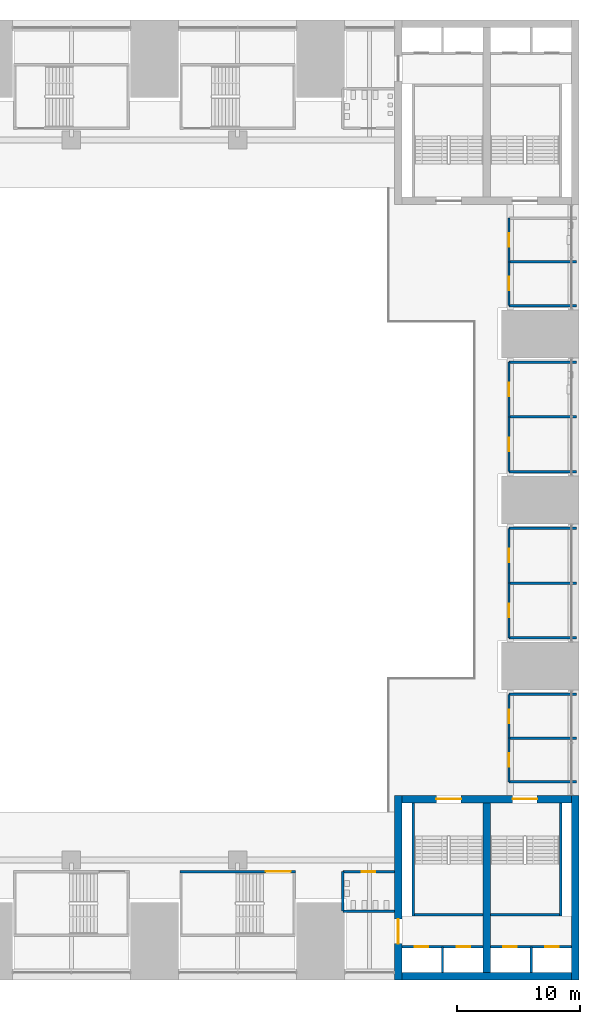
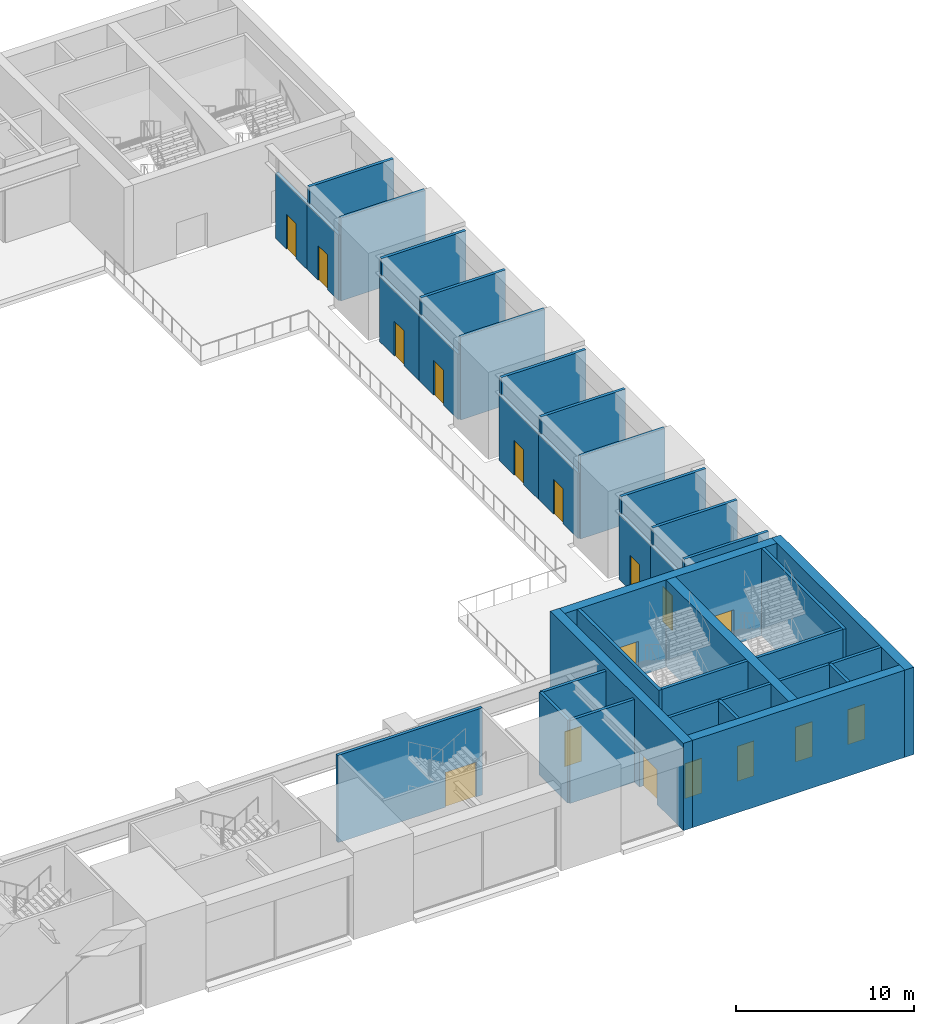
# One storey, part 15 of 41: 36 walls, 17 doors, 17 openings.
"""IFC4 building model written with IfcOpenShell, lengths in metres."""

from ifc_helpers import new_model, si_unit, direction, frame, frame_2d, origin, place, context, subcontext, project, spatial, rectangle, extrude, material, layer, layer_set, type_object, element, fill, save


model = new_model("IFC4")

# Units and contexts
model_context = context("Model", 3, precision=1e-05, world=origin(), true_north=direction((0.0, 1.0)))
body_context = subcontext(model_context, "Body", "Model", "MODEL_VIEW")
ifc_project = project(units=[si_unit("LENGTHUNIT", "METRE"), si_unit("AREAUNIT", "SQUARE_METRE"), si_unit("VOLUMEUNIT", "CUBIC_METRE"), si_unit("PLANEANGLEUNIT", "RADIAN"), si_unit("MASSUNIT", "GRAM", prefix="KILO")], contexts=[model_context])

# Site, building, storey
site_placement = place(None, origin())
site = spatial("IfcSite", under=ifc_project, at=site_placement, CompositionType="ELEMENT")
building_placement = place(site_placement, origin())
building = spatial("IfcBuilding", under=site, at=building_placement, Name="Corbelhall Arena Tower", CompositionType="ELEMENT")
storey_placement = place(building_placement, frame((0.0, 0.0, 19.0)))
storey = spatial("IfcBuildingStorey", under=building, at=storey_placement, Name="L02", CompositionType="ELEMENT", Elevation=19.0)

# Walls
ifc_material_1 = material(Name="Gypsum board on steel studs", Category="steel")
ifc_layer_1 = layer(ifc_material_1, 0.199951171875)
ifc_layer_set_1 = layer_set([ifc_layer_1], Name="AR-ROOM-WALL")
wall_type_1 = type_object("IfcWallType", Name="AR-ROOM-WALL", PredefinedType="PARTITIONING", material=ifc_layer_set_1)
for number, where, z_axis, x_axis, name in (
    (1, (42.300048828125, 2.300048828125, 0.0), (0.0, 0.0, 1.0), (1.0, 0.0, 0.0), "Concession bar 1 end wall"),
    (2, (42.300048828125, 6.75, 0.0), (0.0, 0.0, 1.0), (1.0, 0.0, 0.0), "Concession bar 1 partition"),
    (3, (42.300048828125, 11.199951171875, 0.0), (0.0, 0.0, 1.0), (1.0, 0.0, 0.0), "Accessible WC 1 end wall"),
    (4, (42.300048828125, -11.199951171875, 0.0), (0.0, 0.0, 1.0), (1.0, 0.0, 0.0), "Concession bar 2 end wall"),
    (5, (42.300048828125, -6.75, 0.0), (0.0, 0.0, 1.0), (1.0, 0.0, 0.0), "Concession bar 2 partition"),
    (6, (42.300048828125, -2.300048828125, 0.0), (0.0, 0.0, 1.0), (1.0, 0.0, 0.0), "Concession bar 3 end wall"),
    (7, (42.300048828125, 15.800048828125, 0.0), (0.0, 0.0, 1.0), (1.0, 0.0, 0.0), "Concession bar 4 end wall"),
    (8, (42.300048828125, 19.35009765625, 0.0), (0.0, 0.0, 1.0), (1.0, 0.0, 0.0), "Concession bar 4 partition"),
    (9, (42.300048828125, -22.89990234375, 0.0), (0.0, 0.0, 1.0), (1.0, 0.0, 0.0), "Concession bar 5 end wall"),
    (10, (42.300048828125, -19.35009765625, 0.0), (0.0, 0.0, 1.0), (1.0, 0.0, 0.0), "Concession bar 5 partition"),
    (11, (42.300048828125, -15.800048828125, 0.0), (0.0, 0.0, 1.0), (1.0, 0.0, 0.0), "Concession bar 6 end wall"),
):
    element("IfcWall", number, at=place(storey_placement, frame(where, z_axis=z_axis, x_axis=x_axis)), inside=storey, type_object=wall_type_1, Name=name, PredefinedType="PARTITIONING", context=body_context, shape_type="SweptSolid", body=[
        extrude(rectangle(XDim=5.5, YDim=0.199951171875, at=frame_2d((2.75, 0.0))), origin(), (0.0, 0.0, 1.0), 5.699951171875),
    ])

# Wall, opening, door
wall_1_placement = place(storey_placement, frame((28.800048828125, -30.199951171875, 0.0), z_axis=(0.0, 0.0, 1.0), x_axis=(1.0, 0.0, 0.0)))
wall_1 = element("IfcWall", 12, at=wall_1_placement, inside=storey, type_object=wall_type_1, Name="Women's WC 3 wall", PredefinedType="PARTITIONING", context=body_context, shape_type="SweptSolid", body=[
    extrude(rectangle(XDim=4.199951171875, YDim=0.199951171875, at=frame_2d((2.10009765625, 0.0))), origin(), (0.0, 0.0, 1.0), 5.699951171875),
])
opening_1_placement = place(wall_1_placement, frame((1.550048828125, 0.0, 0.0)))
opening_1 = element("IfcOpeningElement", 13, at=opening_1_placement, cuts=wall_1, Name="Opening DA0381", PredefinedType="OPENING", context=body_context, shape_type="SweptSolid", body=[
    extrude(rectangle(XDim=1.10009765625, YDim=2.39990234375, at=frame_2d((0.550048828125, 1.199951171875))), frame((0.0, 0.10009765625, 0.0), z_axis=(0.0, -1.0, 0.0), x_axis=(1.0, 0.0, 0.0)), (0.0, 0.0, 1.0), 0.199951171875),
])
ifc_material_2 = material(Name="Timber", Category="wood")
door_type_1 = type_object("IfcDoorType", Name="AR-ROOM-DOOR", OperationType="DOUBLE_DOOR_SINGLE_SWING", PredefinedType="DOOR", material=ifc_material_2)
door_1_placement = place(opening_1_placement, origin())
door_1 = element("IfcDoor", 14, at=door_1_placement, inside=storey, type_object=door_type_1, Name="Women's WC 3 door", OperationType="DOUBLE_DOOR_SINGLE_SWING", OverallHeight=2.39990234375, OverallWidth=1.10009765625, PredefinedType="DOOR", context=body_context, shape_type="SweptSolid", body=[
    extrude(rectangle(XDim=1.10009765625, YDim=2.39990234375, at=frame_2d((0.550048828125, 1.199951171875))), frame((0.0, 0.02490234375, 0.0), z_axis=(0.0, -1.0, 0.0), x_axis=(1.0, 0.0, 0.0)), (0.0, 0.0, 1.0), 0.050048828125),
])
fill(opening_1, door_1)

# Walls
wall_2_placement = place(storey_placement, frame((28.800048828125, -33.39990234375, 0.0), z_axis=(0.0, 0.0, 1.0), x_axis=(0.0, 1.0, 0.0)))
element("IfcWall", 15, at=wall_2_placement, inside=storey, type_object=wall_type_1, Name="Women's WC 3 side wall", PredefinedType="PARTITIONING", context=body_context, shape_type="SweptSolid", body=[
    extrude(rectangle(XDim=3.199951171875, YDim=0.199951171875, at=frame_2d((1.60009765625, 0.0))), origin(), (0.0, 0.0, 1.0), 5.699951171875),
])
wall_3_placement = place(storey_placement, frame((28.800048828125, -33.39990234375, 0.0), z_axis=(0.0, 0.0, 1.0), x_axis=(1.0, 0.0, 0.0)))
element("IfcWall", 16, at=wall_3_placement, inside=storey, type_object=wall_type_1, Name="Women's WC 3 far wall", PredefinedType="PARTITIONING", context=body_context, shape_type="SweptSolid", body=[
    extrude(rectangle(XDim=4.199951171875, YDim=0.199951171875, at=frame_2d((2.10009765625, 0.0))), origin(), (0.0, 0.0, 1.0), 5.699951171875),
])

# Wall, opening, door
ifc_layer_2 = layer(ifc_material_1, 0.199951171875)
ifc_layer_set_2 = layer_set([ifc_layer_2], Name="AR-ROOM-WALL under beam 1200 mm")
wall_type_2 = type_object("IfcWallType", Name="AR-ROOM-WALL under beam 1200 mm", PredefinedType="PARTITIONING", material=ifc_layer_set_2)
wall_4_placement = place(storey_placement, frame((42.300048828125, 2.300048828125, 0.0), z_axis=(0.0, 0.0, 1.0), x_axis=(0.0, 1.0, 0.0)))
wall_4 = element("IfcWall", 17, at=wall_4_placement, inside=storey, type_object=wall_type_2, Name="Concession bar 1 wall", PredefinedType="PARTITIONING", context=body_context, shape_type="SweptSolid", body=[
    extrude(rectangle(XDim=4.449951171875, YDim=0.199951171875, at=frame_2d((2.22509765625, 0.0))), origin(), (0.0, 0.0, 1.0), 4.5),
])
opening_2_placement = place(wall_4_placement, frame((1.675048828125, 0.0, 0.0)))
opening_2 = element("IfcOpeningElement", 18, at=opening_2_placement, cuts=wall_4, Name="Opening DA0363", PredefinedType="OPENING", context=body_context, shape_type="SweptSolid", body=[
    extrude(rectangle(XDim=1.10009765625, YDim=2.39990234375, at=frame_2d((0.550048828125, 1.199951171875))), frame((0.0, 0.10009765625, 0.0), z_axis=(0.0, -1.0, 0.0), x_axis=(1.0, 0.0, 0.0)), (0.0, 0.0, 1.0), 0.199951171875),
])
door_2_placement = place(opening_2_placement, origin())
door_2 = element("IfcDoor", 19, at=door_2_placement, inside=storey, type_object=door_type_1, Name="Concession bar 1 door", OperationType="DOUBLE_DOOR_SINGLE_SWING", OverallHeight=2.39990234375, OverallWidth=1.10009765625, PredefinedType="DOOR", context=body_context, shape_type="SweptSolid", body=[
    extrude(rectangle(XDim=1.10009765625, YDim=2.39990234375, at=frame_2d((0.550048828125, 1.199951171875))), frame((0.0, 0.02490234375, 0.0), z_axis=(0.0, -1.0, 0.0), x_axis=(1.0, 0.0, 0.0)), (0.0, 0.0, 1.0), 0.050048828125),
])
fill(opening_2, door_2)

wall_5_placement = place(storey_placement, frame((42.300048828125, 6.75, 0.0), z_axis=(0.0, 0.0, 1.0), x_axis=(0.0, 1.0, 0.0)))
wall_5 = element("IfcWall", 20, at=wall_5_placement, inside=storey, type_object=wall_type_2, Name="Accessible WC 1 wall", PredefinedType="PARTITIONING", context=body_context, shape_type="SweptSolid", body=[
    extrude(rectangle(XDim=4.449951171875, YDim=0.199951171875, at=frame_2d((2.22509765625, 0.0))), origin(), (0.0, 0.0, 1.0), 4.5),
])
opening_3_placement = place(wall_5_placement, frame((1.675048828125, 0.0, 0.0)))
opening_3 = element("IfcOpeningElement", 21, at=opening_3_placement, cuts=wall_5, Name="Opening DA0364", PredefinedType="OPENING", context=body_context, shape_type="SweptSolid", body=[
    extrude(rectangle(XDim=1.10009765625, YDim=2.39990234375, at=frame_2d((0.550048828125, 1.199951171875))), frame((0.0, 0.10009765625, 0.0), z_axis=(0.0, -1.0, 0.0), x_axis=(1.0, 0.0, 0.0)), (0.0, 0.0, 1.0), 0.199951171875),
])
door_3_placement = place(opening_3_placement, origin())
door_3 = element("IfcDoor", 22, at=door_3_placement, inside=storey, type_object=door_type_1, Name="Accessible WC 1 door", OperationType="DOUBLE_DOOR_SINGLE_SWING", OverallHeight=2.39990234375, OverallWidth=1.10009765625, PredefinedType="DOOR", context=body_context, shape_type="SweptSolid", body=[
    extrude(rectangle(XDim=1.10009765625, YDim=2.39990234375, at=frame_2d((0.550048828125, 1.199951171875))), frame((0.0, 0.02490234375, 0.0), z_axis=(0.0, -1.0, 0.0), x_axis=(1.0, 0.0, 0.0)), (0.0, 0.0, 1.0), 0.050048828125),
])
fill(opening_3, door_3)

wall_6_placement = place(storey_placement, frame((42.300048828125, -11.199951171875, 0.0), z_axis=(0.0, 0.0, 1.0), x_axis=(0.0, 1.0, 0.0)))
wall_6 = element("IfcWall", 23, at=wall_6_placement, inside=storey, type_object=wall_type_2, Name="Concession bar 2 wall", PredefinedType="PARTITIONING", context=body_context, shape_type="SweptSolid", body=[
    extrude(rectangle(XDim=4.449951171875, YDim=0.199951171875, at=frame_2d((2.22509765625, 0.0))), origin(), (0.0, 0.0, 1.0), 4.5),
])
opening_4_placement = place(wall_6_placement, frame((1.675048828125, 0.0, 0.0)))
opening_4 = element("IfcOpeningElement", 24, at=opening_4_placement, cuts=wall_6, Name="Opening DA0365", PredefinedType="OPENING", context=body_context, shape_type="SweptSolid", body=[
    extrude(rectangle(XDim=1.10009765625, YDim=2.39990234375, at=frame_2d((0.550048828125, 1.199951171875))), frame((0.0, 0.10009765625, 0.0), z_axis=(0.0, -1.0, 0.0), x_axis=(1.0, 0.0, 0.0)), (0.0, 0.0, 1.0), 0.199951171875),
])
door_4_placement = place(opening_4_placement, origin())
door_4 = element("IfcDoor", 25, at=door_4_placement, inside=storey, type_object=door_type_1, Name="Concession bar 2 door", OperationType="DOUBLE_DOOR_SINGLE_SWING", OverallHeight=2.39990234375, OverallWidth=1.10009765625, PredefinedType="DOOR", context=body_context, shape_type="SweptSolid", body=[
    extrude(rectangle(XDim=1.10009765625, YDim=2.39990234375, at=frame_2d((0.550048828125, 1.199951171875))), frame((0.0, 0.02490234375, 0.0), z_axis=(0.0, -1.0, 0.0), x_axis=(1.0, 0.0, 0.0)), (0.0, 0.0, 1.0), 0.050048828125),
])
fill(opening_4, door_4)

wall_7_placement = place(storey_placement, frame((42.300048828125, -6.75, 0.0), z_axis=(0.0, 0.0, 1.0), x_axis=(0.0, 1.0, 0.0)))
wall_7 = element("IfcWall", 26, at=wall_7_placement, inside=storey, type_object=wall_type_2, Name="Concession bar 3 wall", PredefinedType="PARTITIONING", context=body_context, shape_type="SweptSolid", body=[
    extrude(rectangle(XDim=4.449951171875, YDim=0.199951171875, at=frame_2d((2.22509765625, 0.0))), origin(), (0.0, 0.0, 1.0), 4.5),
])
opening_5_placement = place(wall_7_placement, frame((1.675048828125, 0.0, 0.0)))
opening_5 = element("IfcOpeningElement", 27, at=opening_5_placement, cuts=wall_7, Name="Opening DA0366", PredefinedType="OPENING", context=body_context, shape_type="SweptSolid", body=[
    extrude(rectangle(XDim=1.10009765625, YDim=2.39990234375, at=frame_2d((0.550048828125, 1.199951171875))), frame((0.0, 0.10009765625, 0.0), z_axis=(0.0, -1.0, 0.0), x_axis=(1.0, 0.0, 0.0)), (0.0, 0.0, 1.0), 0.199951171875),
])
door_5_placement = place(opening_5_placement, origin())
door_5 = element("IfcDoor", 28, at=door_5_placement, inside=storey, type_object=door_type_1, Name="Concession bar 3 door", OperationType="DOUBLE_DOOR_SINGLE_SWING", OverallHeight=2.39990234375, OverallWidth=1.10009765625, PredefinedType="DOOR", context=body_context, shape_type="SweptSolid", body=[
    extrude(rectangle(XDim=1.10009765625, YDim=2.39990234375, at=frame_2d((0.550048828125, 1.199951171875))), frame((0.0, 0.02490234375, 0.0), z_axis=(0.0, -1.0, 0.0), x_axis=(1.0, 0.0, 0.0)), (0.0, 0.0, 1.0), 0.050048828125),
])
fill(opening_5, door_5)

wall_8_placement = place(storey_placement, frame((42.300048828125, 15.800048828125, 0.0), z_axis=(0.0, 0.0, 1.0), x_axis=(0.0, 1.0, 0.0)))
wall_8 = element("IfcWall", 29, at=wall_8_placement, inside=storey, type_object=wall_type_2, Name="Concession bar 4 wall", PredefinedType="PARTITIONING", context=body_context, shape_type="SweptSolid", body=[
    extrude(rectangle(XDim=3.550048828125, YDim=0.199951171875, at=frame_2d((1.77490234375, 0.0))), origin(), (0.0, 0.0, 1.0), 4.5),
])
opening_6_placement = place(wall_8_placement, frame((1.22509765625, 0.0, 0.0)))
opening_6 = element("IfcOpeningElement", 30, at=opening_6_placement, cuts=wall_8, Name="Opening DA0367", PredefinedType="OPENING", context=body_context, shape_type="SweptSolid", body=[
    extrude(rectangle(XDim=1.10009765625, YDim=2.39990234375, at=frame_2d((0.550048828125, 1.199951171875))), frame((0.0, 0.10009765625, 0.0), z_axis=(0.0, -1.0, 0.0), x_axis=(1.0, 0.0, 0.0)), (0.0, 0.0, 1.0), 0.199951171875),
])
door_6_placement = place(opening_6_placement, origin())
door_6 = element("IfcDoor", 31, at=door_6_placement, inside=storey, type_object=door_type_1, Name="Concession bar 4 door", OperationType="DOUBLE_DOOR_SINGLE_SWING", OverallHeight=2.39990234375, OverallWidth=1.10009765625, PredefinedType="DOOR", context=body_context, shape_type="SweptSolid", body=[
    extrude(rectangle(XDim=1.10009765625, YDim=2.39990234375, at=frame_2d((0.550048828125, 1.199951171875))), frame((0.0, 0.02490234375, 0.0), z_axis=(0.0, -1.0, 0.0), x_axis=(1.0, 0.0, 0.0)), (0.0, 0.0, 1.0), 0.050048828125),
])
fill(opening_6, door_6)

wall_9_placement = place(storey_placement, frame((42.300048828125, 19.35009765625, 0.0), z_axis=(0.0, 0.0, 1.0), x_axis=(0.0, 1.0, 0.0)))
wall_9 = element("IfcWall", 32, at=wall_9_placement, inside=storey, type_object=wall_type_2, Name="Accessible WC 2 wall", PredefinedType="PARTITIONING", context=body_context, shape_type="SweptSolid", body=[
    extrude(rectangle(XDim=3.5498046875, YDim=0.199951171875, at=frame_2d((1.77490234375, 0.0))), origin(), (0.0, 0.0, 1.0), 4.5),
])
opening_7_placement = place(wall_9_placement, frame((1.22509765625, 0.0, 0.0)))
opening_7 = element("IfcOpeningElement", 33, at=opening_7_placement, cuts=wall_9, Name="Opening DA0368", PredefinedType="OPENING", context=body_context, shape_type="SweptSolid", body=[
    extrude(rectangle(XDim=1.10009765625, YDim=2.39990234375, at=frame_2d((0.550048828125, 1.199951171875))), frame((0.0, 0.10009765625, 0.0), z_axis=(0.0, -1.0, 0.0), x_axis=(1.0, 0.0, 0.0)), (0.0, 0.0, 1.0), 0.199951171875),
])
door_7_placement = place(opening_7_placement, origin())
door_7 = element("IfcDoor", 34, at=door_7_placement, inside=storey, type_object=door_type_1, Name="Accessible WC 2 door", OperationType="DOUBLE_DOOR_SINGLE_SWING", OverallHeight=2.39990234375, OverallWidth=1.10009765625, PredefinedType="DOOR", context=body_context, shape_type="SweptSolid", body=[
    extrude(rectangle(XDim=1.10009765625, YDim=2.39990234375, at=frame_2d((0.550048828125, 1.199951171875))), frame((0.0, 0.02490234375, 0.0), z_axis=(0.0, -1.0, 0.0), x_axis=(1.0, 0.0, 0.0)), (0.0, 0.0, 1.0), 0.050048828125),
])
fill(opening_7, door_7)

wall_10_placement = place(storey_placement, frame((42.300048828125, -22.89990234375, 0.0), z_axis=(0.0, 0.0, 1.0), x_axis=(0.0, 1.0, 0.0)))
wall_10 = element("IfcWall", 35, at=wall_10_placement, inside=storey, type_object=wall_type_2, Name="Concession bar 5 wall", PredefinedType="PARTITIONING", context=body_context, shape_type="SweptSolid", body=[
    extrude(rectangle(XDim=3.5498046875, YDim=0.199951171875, at=frame_2d((1.77490234375, 0.0))), origin(), (0.0, 0.0, 1.0), 4.5),
])
opening_8_placement = place(wall_10_placement, frame((1.22509765625, 0.0, 0.0)))
opening_8 = element("IfcOpeningElement", 36, at=opening_8_placement, cuts=wall_10, Name="Opening DA0369", PredefinedType="OPENING", context=body_context, shape_type="SweptSolid", body=[
    extrude(rectangle(XDim=1.10009765625, YDim=2.39990234375, at=frame_2d((0.550048828125, 1.199951171875))), frame((0.0, 0.10009765625, 0.0), z_axis=(0.0, -1.0, 0.0), x_axis=(1.0, 0.0, 0.0)), (0.0, 0.0, 1.0), 0.199951171875),
])
door_8_placement = place(opening_8_placement, origin())
door_8 = element("IfcDoor", 37, at=door_8_placement, inside=storey, type_object=door_type_1, Name="Concession bar 5 door", OperationType="DOUBLE_DOOR_SINGLE_SWING", OverallHeight=2.39990234375, OverallWidth=1.10009765625, PredefinedType="DOOR", context=body_context, shape_type="SweptSolid", body=[
    extrude(rectangle(XDim=1.10009765625, YDim=2.39990234375, at=frame_2d((0.550048828125, 1.199951171875))), frame((0.0, 0.02490234375, 0.0), z_axis=(0.0, -1.0, 0.0), x_axis=(1.0, 0.0, 0.0)), (0.0, 0.0, 1.0), 0.050048828125),
])
fill(opening_8, door_8)

wall_11_placement = place(storey_placement, frame((42.300048828125, -19.35009765625, 0.0), z_axis=(0.0, 0.0, 1.0), x_axis=(0.0, 1.0, 0.0)))
wall_11 = element("IfcWall", 38, at=wall_11_placement, inside=storey, type_object=wall_type_2, Name="Concession bar 6 wall", PredefinedType="PARTITIONING", context=body_context, shape_type="SweptSolid", body=[
    extrude(rectangle(XDim=3.550048828125, YDim=0.199951171875, at=frame_2d((1.77490234375, 0.0))), origin(), (0.0, 0.0, 1.0), 4.5),
])
opening_9_placement = place(wall_11_placement, frame((1.22509765625, 0.0, 0.0)))
opening_9 = element("IfcOpeningElement", 39, at=opening_9_placement, cuts=wall_11, Name="Opening DA0370", PredefinedType="OPENING", context=body_context, shape_type="SweptSolid", body=[
    extrude(rectangle(XDim=1.10009765625, YDim=2.39990234375, at=frame_2d((0.550048828125, 1.199951171875))), frame((0.0, 0.10009765625, 0.0), z_axis=(0.0, -1.0, 0.0), x_axis=(1.0, 0.0, 0.0)), (0.0, 0.0, 1.0), 0.199951171875),
])
door_9_placement = place(opening_9_placement, origin())
door_9 = element("IfcDoor", 40, at=door_9_placement, inside=storey, type_object=door_type_1, Name="Concession bar 6 door", OperationType="DOUBLE_DOOR_SINGLE_SWING", OverallHeight=2.39990234375, OverallWidth=1.10009765625, PredefinedType="DOOR", context=body_context, shape_type="SweptSolid", body=[
    extrude(rectangle(XDim=1.10009765625, YDim=2.39990234375, at=frame_2d((0.550048828125, 1.199951171875))), frame((0.0, 0.02490234375, 0.0), z_axis=(0.0, -1.0, 0.0), x_axis=(1.0, 0.0, 0.0)), (0.0, 0.0, 1.0), 0.050048828125),
])
fill(opening_9, door_9)

# Wall, openings, doors
ifc_material_3 = material(Name="Reinforced concrete C40/50", Category="concrete")
ifc_layer_3 = layer(ifc_material_3, 0.199951171875)
ifc_layer_set_3 = layer_set([ifc_layer_3], Name="AR-SHAFT-WALL")
wall_type_3 = type_object("IfcWallType", Name="AR-SHAFT-WALL", PredefinedType="SHEAR", material=ifc_layer_set_3)
wall_12_placement = place(storey_placement, frame((33.60009765625, -36.300048828125, 0.0), z_axis=(0.0, 0.0, 1.0), x_axis=(1.0, 0.0, 0.0)))
wall_12 = element("IfcWall", 41, at=wall_12_placement, inside=storey, type_object=wall_type_3, Name="Lift lobby wall SE", PredefinedType="SHEAR", context=body_context, shape_type="SweptSolid", body=[
    extrude(rectangle(XDim=6.599853515625, YDim=0.199951171875, at=frame_2d((3.2998046875, 0.0))), origin(), (0.0, 0.0, 1.0), 6.0),
])
opening_10_placement = place(wall_12_placement, frame((1.050048828125, 0.0, 0.0)))
opening_10 = element("IfcOpeningElement", 42, at=opening_10_placement, cuts=wall_12, Name="Opening LD0215", PredefinedType="OPENING", context=body_context, shape_type="SweptSolid", body=[
    extrude(rectangle(XDim=1.10009765625, YDim=2.39990234375, at=frame_2d((0.550048828125, 1.199951171875))), frame((0.0, 0.10009765625, 0.0), z_axis=(0.0, -1.0, 0.0), x_axis=(1.0, 0.0, 0.0)), (0.0, 0.0, 1.0), 0.199951171875),
])
opening_11_placement = place(wall_12_placement, frame((4.449951171875, 0.0, 0.0)))
opening_11 = element("IfcOpeningElement", 43, at=opening_11_placement, cuts=wall_12, Name="Opening LD0216", PredefinedType="OPENING", context=body_context, shape_type="SweptSolid", body=[
    extrude(rectangle(XDim=1.10009765625, YDim=2.39990234375, at=frame_2d((0.550048828125, 1.199951171875))), frame((0.0, 0.10009765625, 0.0), z_axis=(0.0, -1.0, 0.0), x_axis=(1.0, 0.0, 0.0)), (0.0, 0.0, 1.0), 0.199951171875),
])
ifc_material_4 = material(Name="Stainless steel A4", Category="steel")
door_type_2 = type_object("IfcDoorType", Name="AR-LANDING-DOOR", OperationType="DOUBLE_DOOR_SLIDING", PredefinedType="DOOR", material=ifc_material_4)
door_10_placement = place(opening_10_placement, frame((1.10009765625, 0.0, 0.0), z_axis=(0.0, 0.0, 1.0), x_axis=(-1.0, 0.0, 0.0)))
door_10 = element("IfcDoor", 44, at=door_10_placement, inside=storey, type_object=door_type_2, Name="Landing door SE LF1 L02", OperationType="DOUBLE_DOOR_SLIDING", OverallHeight=2.39990234375, OverallWidth=1.10009765625, PredefinedType="DOOR", context=body_context, shape_type="SweptSolid", body=[
    extrude(rectangle(XDim=1.10009765625, YDim=2.39990234375, at=frame_2d((0.550048828125, 1.199951171875))), frame((0.0, 0.02490234375, 0.0), z_axis=(0.0, -1.0, 0.0), x_axis=(1.0, 0.0, 0.0)), (0.0, 0.0, 1.0), 0.050048828125),
])
fill(opening_10, door_10)
door_11_placement = place(opening_11_placement, frame((1.10009765625, 0.0, 0.0), z_axis=(0.0, 0.0, 1.0), x_axis=(-1.0, 0.0, 0.0)))
door_11 = element("IfcDoor", 45, at=door_11_placement, inside=storey, type_object=door_type_2, Name="Landing door SE LF2 L02", OperationType="DOUBLE_DOOR_SLIDING", OverallHeight=2.39990234375, OverallWidth=1.10009765625, PredefinedType="DOOR", context=body_context, shape_type="SweptSolid", body=[
    extrude(rectangle(XDim=1.10009765625, YDim=2.39990234375, at=frame_2d((0.550048828125, 1.199951171875))), frame((0.0, 0.02490234375, 0.0), z_axis=(0.0, -1.0, 0.0), x_axis=(1.0, 0.0, 0.0)), (0.0, 0.0, 1.0), 0.050048828125),
])
fill(opening_11, door_11)

wall_13_placement = place(storey_placement, frame((40.800048828125, -36.300048828125, 0.0), z_axis=(0.0, 0.0, 1.0), x_axis=(1.0, 0.0, 0.0)))
wall_13 = element("IfcWall", 46, at=wall_13_placement, inside=storey, type_object=wall_type_3, Name="Lift lobby wall SE", PredefinedType="SHEAR", context=body_context, shape_type="SweptSolid", body=[
    extrude(rectangle(XDim=6.599853515625, YDim=0.199951171875, at=frame_2d((3.2998046875, 0.0))), origin(), (0.0, 0.0, 1.0), 6.0),
])
opening_12_placement = place(wall_13_placement, frame((1.050048828125, 0.0, 0.0)))
opening_12 = element("IfcOpeningElement", 47, at=opening_12_placement, cuts=wall_13, Name="Opening LD0217", PredefinedType="OPENING", context=body_context, shape_type="SweptSolid", body=[
    extrude(rectangle(XDim=1.10009765625, YDim=2.39990234375, at=frame_2d((0.550048828125, 1.199951171875))), frame((0.0, 0.10009765625, 0.0), z_axis=(0.0, -1.0, 0.0), x_axis=(1.0, 0.0, 0.0)), (0.0, 0.0, 1.0), 0.199951171875),
])
opening_13_placement = place(wall_13_placement, frame((4.449951171875, 0.0, 0.0)))
opening_13 = element("IfcOpeningElement", 48, at=opening_13_placement, cuts=wall_13, Name="Opening LD0218", PredefinedType="OPENING", context=body_context, shape_type="SweptSolid", body=[
    extrude(rectangle(XDim=1.10009765625, YDim=2.39990234375, at=frame_2d((0.550048828125, 1.199951171875))), frame((0.0, 0.10009765625, 0.0), z_axis=(0.0, -1.0, 0.0), x_axis=(1.0, 0.0, 0.0)), (0.0, 0.0, 1.0), 0.199951171875),
])
door_12_placement = place(opening_12_placement, frame((1.10009765625, 0.0, 0.0), z_axis=(0.0, 0.0, 1.0), x_axis=(-1.0, 0.0, 0.0)))
door_12 = element("IfcDoor", 49, at=door_12_placement, inside=storey, type_object=door_type_2, Name="Landing door SE LF3 L02", OperationType="DOUBLE_DOOR_SLIDING", OverallHeight=2.39990234375, OverallWidth=1.10009765625, PredefinedType="DOOR", context=body_context, shape_type="SweptSolid", body=[
    extrude(rectangle(XDim=1.10009765625, YDim=2.39990234375, at=frame_2d((0.550048828125, 1.199951171875))), frame((0.0, 0.02490234375, 0.0), z_axis=(0.0, -1.0, 0.0), x_axis=(1.0, 0.0, 0.0)), (0.0, 0.0, 1.0), 0.050048828125),
])
fill(opening_12, door_12)
door_13_placement = place(opening_13_placement, frame((1.10009765625, 0.0, 0.0), z_axis=(0.0, 0.0, 1.0), x_axis=(-1.0, 0.0, 0.0)))
door_13 = element("IfcDoor", 50, at=door_13_placement, inside=storey, type_object=door_type_2, Name="Landing door SE LF4 L02", OperationType="DOUBLE_DOOR_SLIDING", OverallHeight=2.39990234375, OverallWidth=1.10009765625, PredefinedType="DOOR", context=body_context, shape_type="SweptSolid", body=[
    extrude(rectangle(XDim=1.10009765625, YDim=2.39990234375, at=frame_2d((0.550048828125, 1.199951171875))), frame((0.0, 0.02490234375, 0.0), z_axis=(0.0, -1.0, 0.0), x_axis=(1.0, 0.0, 0.0)), (0.0, 0.0, 1.0), 0.050048828125),
])
fill(opening_13, door_13)

# Walls
for number, where, z_axis, x_axis, name in (
    (51, (36.89990234375, -38.39990234375, 0.0), (0.0, 0.0, 1.0), (0.0, 1.0, 0.0), "Shaft wall SE"),
    (52, (44.10009765625, -38.39990234375, 0.0), (0.0, 0.0, 1.0), (0.0, 1.0, 0.0), "Shaft wall SE"),
):
    element("IfcWall", number, at=place(storey_placement, frame(where, z_axis=z_axis, x_axis=x_axis)), inside=storey, type_object=wall_type_3, Name=name, PredefinedType="SHEAR", context=body_context, shape_type="SweptSolid", body=[
        extrude(rectangle(XDim=2.099853515625, YDim=0.199951171875, at=frame_2d((1.0498046875, 0.0))), origin(), (0.0, 0.0, 1.0), 6.0),
    ])

# Wall, opening, door
ifc_layer_4 = layer(ifc_material_3, 0.199951171875)
ifc_layer_set_4 = layer_set([ifc_layer_4], Name="AR-STAIR-WALL")
wall_type_4 = type_object("IfcWallType", Name="AR-STAIR-WALL", PredefinedType="SOLIDWALL", material=ifc_layer_set_4)
wall_14_placement = place(storey_placement, frame((24.949951171875, -30.199951171875, 0.0), z_axis=(0.0, 0.0, 1.0), x_axis=(-1.0, 0.0, 0.0)))
wall_14 = element("IfcWall", 53, at=wall_14_placement, inside=storey, type_object=wall_type_4, Name="Stair AS16 wall", PredefinedType="SOLIDWALL", context=body_context, shape_type="SweptSolid", body=[
    extrude(rectangle(XDim=9.39990234375, YDim=0.199951171875, at=frame_2d((4.699951171875, 0.0))), origin(), (0.0, 0.0, 1.0), 6.0),
])
opening_14_placement = place(wall_14_placement, frame((0.39990234375, 0.0, 0.0)))
opening_14 = element("IfcOpeningElement", 54, at=opening_14_placement, cuts=wall_14, Name="Opening DA0045", PredefinedType="OPENING", context=body_context, shape_type="SweptSolid", body=[
    extrude(rectangle(XDim=2.0, YDim=2.39990234375, at=frame_2d((1.0, 1.199951171875))), frame((0.0, 0.10009765625, 0.0), z_axis=(0.0, -1.0, 0.0), x_axis=(1.0, 0.0, 0.0)), (0.0, 0.0, 1.0), 0.199951171875),
])
ifc_material_5 = material(Name="Steel and glass", Category="steel")
door_type_3 = type_object("IfcDoorType", Name="AR-STAIR-DOOR", OperationType="DOUBLE_DOOR_SINGLE_SWING", PredefinedType="DOOR", material=ifc_material_5)
door_14_placement = place(opening_14_placement, origin())
door_14 = element("IfcDoor", 55, at=door_14_placement, inside=storey, type_object=door_type_3, Name="Stair AS16 door", OperationType="DOUBLE_DOOR_SINGLE_SWING", OverallHeight=2.39990234375, OverallWidth=2.0, PredefinedType="DOOR", context=body_context, shape_type="SweptSolid", body=[
    extrude(rectangle(XDim=2.0, YDim=2.39990234375, at=frame_2d((1.0, 1.199951171875))), frame((0.0, 0.02490234375, 0.0), z_axis=(0.0, -1.0, 0.0), x_axis=(1.0, 0.0, 0.0)), (0.0, 0.0, 1.0), 0.050048828125),
])
fill(opening_14, door_14)

# Walls
wall_15_placement = place(storey_placement, frame((34.510009765625, -33.800048828125, 0.0), z_axis=(0.0, 0.0, 1.0), x_axis=(0.0, 1.0, 0.0)))
element("IfcWall", 56, at=wall_15_placement, inside=storey, type_object=wall_type_4, Name="Stair AS5 wall", PredefinedType="SOLIDWALL", context=body_context, shape_type="SweptSolid", body=[
    extrude(rectangle(XDim=9.199951171875, YDim=0.199951171875, at=frame_2d((4.60009765625, 0.0))), origin(), (0.0, 0.0, 1.0), 6.0),
])
wall_16_placement = place(storey_placement, frame((34.610107421875, -33.699951171875, 0.0), z_axis=(0.0, 0.0, 1.0), x_axis=(1.0, 0.0, 0.0)))
element("IfcWall", 57, at=wall_16_placement, inside=storey, type_object=wall_type_4, Name="Stair AS5 wall", PredefinedType="SOLIDWALL", context=body_context, shape_type="SweptSolid", body=[
    extrude(rectangle(XDim=5.58984375, YDim=0.199951171875, at=frame_2d((2.794921875, 0.0))), origin(), (0.0, 0.0, 1.0), 6.0),
])
wall_17_placement = place(storey_placement, frame((46.489990234375, -33.800048828125, 0.0), z_axis=(0.0, 0.0, 1.0), x_axis=(0.0, 1.0, 0.0)))
element("IfcWall", 58, at=wall_17_placement, inside=storey, type_object=wall_type_4, Name="Stair AS6 wall", PredefinedType="SOLIDWALL", context=body_context, shape_type="SweptSolid", body=[
    extrude(rectangle(XDim=9.199951171875, YDim=0.199951171875, at=frame_2d((4.60009765625, 0.0))), origin(), (0.0, 0.0, 1.0), 6.0),
])
wall_18_placement = place(storey_placement, frame((40.800048828125, -33.699951171875, 0.0), z_axis=(0.0, 0.0, 1.0), x_axis=(1.0, 0.0, 0.0)))
element("IfcWall", 59, at=wall_18_placement, inside=storey, type_object=wall_type_4, Name="Stair AS6 wall", PredefinedType="SOLIDWALL", context=body_context, shape_type="SweptSolid", body=[
    extrude(rectangle(XDim=5.58984375, YDim=0.199951171875, at=frame_2d((2.794921875, 0.0))), origin(), (0.0, 0.0, 1.0), 6.0),
])

# Wall, openings, doors
ifc_material_6 = material(Name="Concrete C80/95", Category="concrete")
ifc_layer_5 = layer(ifc_material_6, 0.60009765625)
ifc_layer_set_5 = layer_set([ifc_layer_5], Name="PO-CORE-WALL")
wall_type_5 = type_object("IfcWallType", Name="PO-CORE-WALL", PredefinedType="SHEAR", material=ifc_layer_set_5)
wall_19_placement = place(storey_placement, frame((33.60009765625, -24.300048828125, 0.0), z_axis=(0.0, 0.0, 1.0), x_axis=(1.0, 0.0, 0.0)))
wall_19 = element("IfcWall", 60, at=wall_19_placement, inside=storey, type_object=wall_type_5, Name="CORE SE WALL N L02", PredefinedType="SHEAR", context=body_context, shape_type="SweptSolid", body=[
    extrude(rectangle(XDim=13.7998046875, YDim=0.60009765625, at=frame_2d((6.89990234375, 0.0))), origin(), (0.0, 0.0, 1.0), 6.0),
])
opening_15_placement = place(wall_19_placement, frame((2.804931640625, 0.0, 0.0)))
opening_15 = element("IfcOpeningElement", 61, at=opening_15_placement, cuts=wall_19, Name="Opening DA0087", PredefinedType="OPENING", context=body_context, shape_type="SweptSolid", body=[
    extrude(rectangle(XDim=2.0, YDim=2.39990234375, at=frame_2d((1.0, 1.199951171875))), frame((0.0, 0.300048828125, 0.0), z_axis=(0.0, -1.0, 0.0), x_axis=(1.0, 0.0, 0.0)), (0.0, 0.0, 1.0), 0.60009765625),
])
opening_16_placement = place(wall_19_placement, frame((8.9951171875, 0.0, 0.0)))
opening_16 = element("IfcOpeningElement", 62, at=opening_16_placement, cuts=wall_19, Name="Opening DA0095", PredefinedType="OPENING", context=body_context, shape_type="SweptSolid", body=[
    extrude(rectangle(XDim=2.0, YDim=2.39990234375, at=frame_2d((1.0, 1.199951171875))), frame((0.0, 0.300048828125, 0.0), z_axis=(0.0, -1.0, 0.0), x_axis=(1.0, 0.0, 0.0)), (0.0, 0.0, 1.0), 0.60009765625),
])
door_15_placement = place(opening_15_placement, frame((2.0, 0.0, 0.0), z_axis=(0.0, 0.0, 1.0), x_axis=(-1.0, 0.0, 0.0)))
door_15 = element("IfcDoor", 63, at=door_15_placement, inside=storey, type_object=door_type_3, Name="Stair AS5 door", OperationType="DOUBLE_DOOR_SINGLE_SWING", OverallHeight=2.39990234375, OverallWidth=2.0, PredefinedType="DOOR", context=body_context, shape_type="SweptSolid", body=[
    extrude(rectangle(XDim=2.0, YDim=2.39990234375, at=frame_2d((1.0, 1.199951171875))), frame((0.0, 0.02490234375, 0.0), z_axis=(0.0, -1.0, 0.0), x_axis=(1.0, 0.0, 0.0)), (0.0, 0.0, 1.0), 0.050048828125),
])
fill(opening_15, door_15)
door_16_placement = place(opening_16_placement, frame((2.0, 0.0, 0.0), z_axis=(0.0, 0.0, 1.0), x_axis=(-1.0, 0.0, 0.0)))
door_16 = element("IfcDoor", 64, at=door_16_placement, inside=storey, type_object=door_type_3, Name="Stair AS6 door", OperationType="DOUBLE_DOOR_SINGLE_SWING", OverallHeight=2.39990234375, OverallWidth=2.0, PredefinedType="DOOR", context=body_context, shape_type="SweptSolid", body=[
    extrude(rectangle(XDim=2.0, YDim=2.39990234375, at=frame_2d((1.0, 1.199951171875))), frame((0.0, 0.02490234375, 0.0), z_axis=(0.0, -1.0, 0.0), x_axis=(1.0, 0.0, 0.0)), (0.0, 0.0, 1.0), 0.050048828125),
])
fill(opening_16, door_16)

# Wall
wall_20_placement = place(storey_placement, frame((33.60009765625, -38.699951171875, 0.0), z_axis=(0.0, 0.0, 1.0), x_axis=(1.0, 0.0, 0.0)))
element("IfcWall", 65, at=wall_20_placement, inside=storey, type_object=wall_type_5, Name="CORE SE WALL S L02", PredefinedType="SHEAR", context=body_context, shape_type="SweptSolid", body=[
    extrude(rectangle(XDim=13.7998046875, YDim=0.60009765625, at=frame_2d((6.89990234375, 0.0))), origin(), (0.0, 0.0, 1.0), 6.0),
])

# Wall, opening, door
wall_21_placement = place(storey_placement, frame((33.300048828125, -39.0, 0.0), z_axis=(0.0, 0.0, 1.0), x_axis=(0.0, 1.0, 0.0)))
wall_21 = element("IfcWall", 66, at=wall_21_placement, inside=storey, type_object=wall_type_5, Name="CORE SE WALL W L02", PredefinedType="SHEAR", context=body_context, shape_type="SweptSolid", body=[
    extrude(rectangle(XDim=15.0, YDim=0.60009765625, at=frame_2d((7.5, 0.0))), origin(), (0.0, 0.0, 1.0), 6.0),
])
opening_17_placement = place(wall_21_placement, frame((2.949951171875, 0.0, 0.0)))
opening_17 = element("IfcOpeningElement", 67, at=opening_17_placement, cuts=wall_21, Name="Opening DA0219", PredefinedType="OPENING", context=body_context, shape_type="SweptSolid", body=[
    extrude(rectangle(XDim=2.0, YDim=2.39990234375, at=frame_2d((1.0, 1.199951171875))), frame((0.0, 0.300048828125, 0.0), z_axis=(0.0, -1.0, 0.0), x_axis=(1.0, 0.0, 0.0)), (0.0, 0.0, 1.0), 0.60009765625),
])
door_type_4 = type_object("IfcDoorType", Name="AR-CORE-DOOR", OperationType="DOUBLE_DOOR_SINGLE_SWING", PredefinedType="DOOR", material=ifc_material_5)
door_17_placement = place(opening_17_placement, origin())
door_17 = element("IfcDoor", 68, at=door_17_placement, inside=storey, type_object=door_type_4, Name="Core lobby door SE L02", OperationType="DOUBLE_DOOR_SINGLE_SWING", OverallHeight=2.39990234375, OverallWidth=2.0, PredefinedType="DOOR", context=body_context, shape_type="SweptSolid", body=[
    extrude(rectangle(XDim=2.0, YDim=2.39990234375, at=frame_2d((1.0, 1.199951171875))), frame((0.0, 0.02490234375, 0.0), z_axis=(0.0, -1.0, 0.0), x_axis=(1.0, 0.0, 0.0)), (0.0, 0.0, 1.0), 0.050048828125),
])
fill(opening_17, door_17)

# Walls
wall_22_placement = place(storey_placement, frame((47.699951171875, -39.0, 0.0), z_axis=(0.0, 0.0, 1.0), x_axis=(0.0, 1.0, 0.0)))
element("IfcWall", 69, at=wall_22_placement, inside=storey, type_object=wall_type_5, Name="CORE SE WALL E L02", PredefinedType="SHEAR", context=body_context, shape_type="SweptSolid", body=[
    extrude(rectangle(XDim=15.0, YDim=0.60009765625, at=frame_2d((7.5, 0.0))), origin(), (0.0, 0.0, 1.0), 6.0),
])
wall_23_placement = place(storey_placement, frame((40.5, -38.39990234375, 0.0), z_axis=(0.0, 0.0, 1.0), x_axis=(0.0, 1.0, 0.0)))
element("IfcWall", 70, at=wall_23_placement, inside=storey, type_object=wall_type_5, Name="CORE SE WALL D L02", PredefinedType="SHEAR", context=body_context, shape_type="SweptSolid", body=[
    extrude(rectangle(XDim=13.7998046875, YDim=0.60009765625, at=frame_2d((6.89990234375, 0.0))), origin(), (0.0, 0.0, 1.0), 6.0),
])

save(model, "model.ifc")
